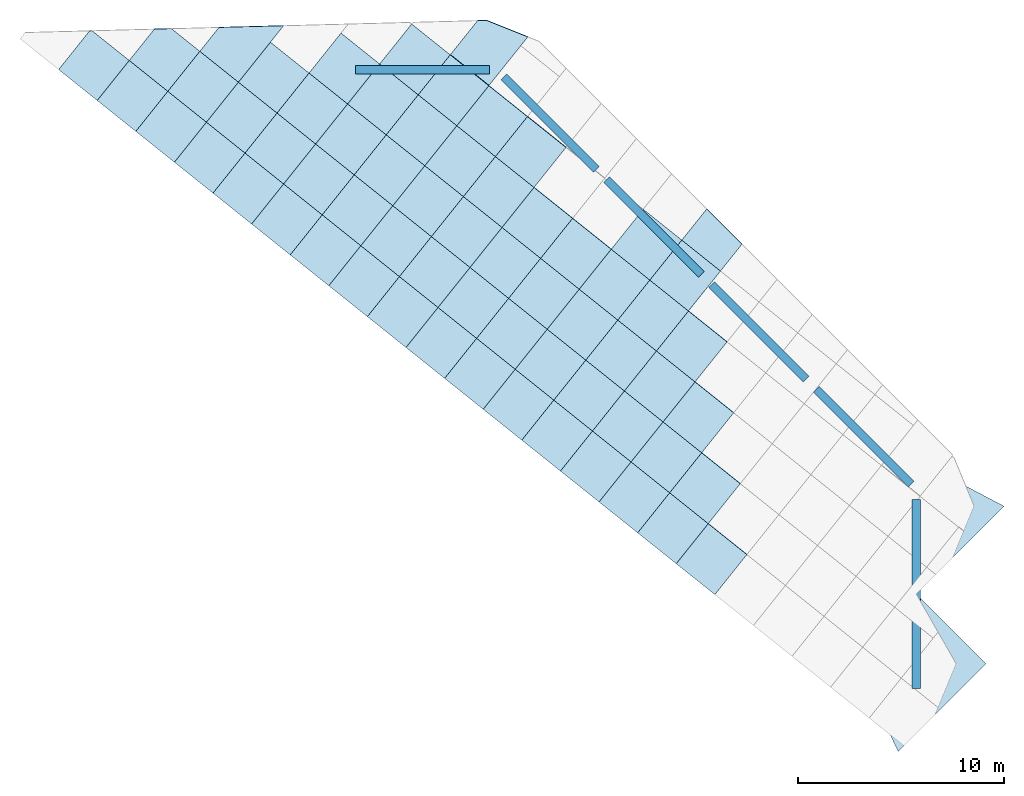
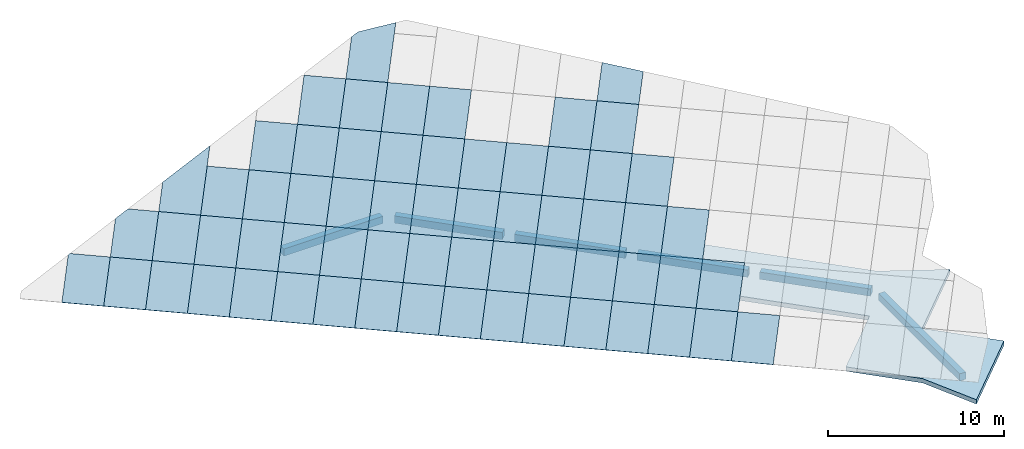
# One storey, part 1 of 2: 63 plates, 6 beams, 1 slab.
"""IFC4 building model written with IfcOpenShell, lengths in metres."""

from ifc_helpers import new_model, si_unit, direction, frame, origin, origin_2d, place, context, subcontext, project, spatial, polyline, rectangle, outline, extrude, material, layer, layer_set, material_profile, profile_set, type_object, element, save


model = new_model("IFC4")

# Units and contexts
model_context = context("Model", 3, precision=1e-05, world=origin(), true_north=direction((0.0, 1.0)))
body_context = subcontext(model_context, "Body", "Model", "MODEL_VIEW")
ifc_project = project(units=[si_unit("LENGTHUNIT", "METRE"), si_unit("AREAUNIT", "SQUARE_METRE"), si_unit("VOLUMEUNIT", "CUBIC_METRE"), si_unit("PLANEANGLEUNIT", "RADIAN"), si_unit("MASSUNIT", "GRAM", prefix="KILO")], contexts=[model_context])

# Site, building, storey
site_placement = place(None, origin())
site = spatial("IfcSite", under=ifc_project, at=site_placement, CompositionType="ELEMENT")
building_placement = place(site_placement, origin())
building = spatial("IfcBuilding", under=site, at=building_placement, Name="Windrow Commons", CompositionType="ELEMENT")
storey_placement = place(building_placement, frame((0.0, 0.0, 313.4)))
storey = spatial("IfcBuildingStorey", under=building, at=storey_placement, Name="Roof", CompositionType="ELEMENT", Elevation=313.4)

# Beams
ifc_material_1 = material(Name="Concrete C40/50", Category="concrete")
ifc_material_profile = material_profile(ifc_material_1, rectangle(XDim=0.4, YDim=0.5, at=origin_2d()))
ifc_profile_set = profile_set([ifc_material_profile], Name="Concrete C40/50")
beam_type = type_object("IfcBeamType", Name="RC ROOF RING BEAM 400x500 C40/50", PredefinedType="BEAM", material=ifc_profile_set)
beam_1_placement = place(storey_placement, frame((72.35, 72.0, -0.55), z_axis=(1.0, 0.0, 0.0), x_axis=(0.0, 1.0, 0.0)))
element("IfcBeam", 1, at=beam_1_placement, inside=storey, type_object=beam_type, Name="Roof ring beam Roof 001", PredefinedType="BEAM", context=body_context, shape_type="SweptSolid", body=[
    extrude(rectangle(XDim=0.4, YDim=0.5, at=origin_2d()), origin(), (0.0, 0.0, 1.0), 6.5),
])
beam_2_placement = place(storey_placement, frame((79.55, 71.65, -0.55), z_axis=(0.7071067812, -0.7071067812, 0.0), x_axis=(0.7071067812, 0.7071067812, 0.0)))
element("IfcBeam", 2, at=beam_2_placement, inside=storey, type_object=beam_type, Name="Roof ring beam Roof 002", PredefinedType="BEAM", context=body_context, shape_type="SweptSolid", body=[
    extrude(rectangle(XDim=0.4, YDim=0.5, at=origin_2d()), origin(), (0.0, 0.0, 1.0), 6.3551),
])
beam_3_placement = place(storey_placement, frame((84.5387, 66.6613, -0.55), z_axis=(0.7071067812, -0.7071067812, 0.0), x_axis=(0.7071067812, 0.7071067812, 0.0)))
element("IfcBeam", 3, at=beam_3_placement, inside=storey, type_object=beam_type, Name="Roof ring beam Roof 003", PredefinedType="BEAM", context=body_context, shape_type="SweptSolid", body=[
    extrude(rectangle(XDim=0.4, YDim=0.5, at=origin_2d()), origin(), (0.0, 0.0, 1.0), 6.4999),
])
for number, where, z_axis, x_axis, name in (
    (4, (89.6298, 61.5702, -0.55), (0.7071067812, -0.7071067812, 0.0), (0.7071067812, 0.7071067812, 0.0), "Roof ring beam Roof 004"),
    (5, (94.721, 56.479, -0.55), (0.7071067812, -0.7071067812, 0.0), (0.7071067812, 0.7071067812, 0.0), "Roof ring beam Roof 005"),
):
    element("IfcBeam", number, at=place(storey_placement, frame(where, z_axis=z_axis, x_axis=x_axis)), inside=storey, type_object=beam_type, Name=name, PredefinedType="BEAM", context=body_context, shape_type="SweptSolid", body=[
        extrude(rectangle(XDim=0.4, YDim=0.5, at=origin_2d()), origin(), (0.0, 0.0, 1.0), 6.5),
    ])
beam_4_placement = place(storey_placement, frame((99.5647, 51.1403, -0.55), z_axis=(0.0, -1.0, 0.0), x_axis=(1.0, 0.0, 0.0)))
element("IfcBeam", 6, at=beam_4_placement, inside=storey, type_object=beam_type, Name="Roof ring beam Roof 006", PredefinedType="BEAM", context=body_context, shape_type="SweptSolid", body=[
    extrude(rectangle(XDim=0.4, YDim=0.5, at=origin_2d()), origin(), (0.0, 0.0, 1.0), 9.1923),
])

# Plates
ifc_material_2 = material(Name="Laminated glass in aluminium frame", Category="aluminium")
ifc_layer_1 = layer(ifc_material_2, 0.04)
ifc_layer_set_1 = layer_set([ifc_layer_1], Name="Crown glazing panel 2400x3000")
plate_type = type_object("IfcPlateType", Name="Crown glazing panel 2400x3000", PredefinedType="SHEET", material=ifc_layer_set_1)
plate_1_placement = place(storey_placement, frame((89.7893, 46.5162, 0.9287), z_axis=(-0.3493199284, -0.4366586479, 0.829038487), x_axis=(-0.7808679222, 0.6246961565, 7.5417e-06)))
element("IfcPlate", 7, at=plate_1_placement, inside=storey, type_object=plate_type, Name="Crown glazing 233", PredefinedType="SHEET", context=body_context, shape_type="SweptSolid", body=[
    extrude(outline(polyline([(0.0, 0.0), (2.4, 0.0), (2.4, -3.0), (0.0001, -3.0001), (0.0, 0.0)])), origin(), (0.0, 0.0, -1.0), 0.04),
])
plate_2_placement = place(storey_placement, frame((87.9152, 48.0155, 0.9287), z_axis=(-0.349330801, -0.4366576763, 0.8290344174), x_axis=(-0.7808647444, 0.6247001288, 0.0)))
element("IfcPlate", 8, at=plate_2_placement, inside=storey, type_object=plate_type, Name="Crown glazing 234", PredefinedType="SHEET", context=body_context, shape_type="SweptSolid", body=[
    extrude(outline(polyline([(0.0, 0.0), (2.4, 0.0), (2.4, -3.0), (0.0, -3.0), (0.0, 0.0)])), origin(), (0.0, 0.0, -1.0), 0.04),
])
plate_3_placement = place(storey_placement, frame((86.0411, 49.5148, 0.9287), z_axis=(-0.3493394993, -0.436656899, 0.8290311615), x_axis=(-0.780851026, 0.6247172762, 6.0337e-06)))
element("IfcPlate", 9, at=plate_3_placement, inside=storey, type_object=plate_type, Name="Crown glazing 235", PredefinedType="SHEET", context=body_context, shape_type="SweptSolid", body=[
    extrude(outline(polyline([(0.0, 0.0), (2.4, 0.0), (2.4001, -3.0), (0.0001, -3.0), (0.0, 0.0)])), origin(), (0.0, 0.0, -1.0), 0.04),
])
plate_4_placement = place(storey_placement, frame((84.1671, 51.0141, 0.9287), z_axis=(-0.3493252917, -0.436668265, 0.8290311616), x_axis=(-0.7808825273, 0.6246778998, -6.0334e-06)))
element("IfcPlate", 10, at=plate_4_placement, inside=storey, type_object=plate_type, Name="Crown glazing 236", PredefinedType="SHEET", context=body_context, shape_type="SweptSolid", body=[
    extrude(outline(polyline([(0.0, 0.0), (2.4, 0.0), (2.3999, -3.0), (0.0, -3.0), (0.0, 0.0)])), origin(), (0.0, 0.0, -1.0), 0.04),
])
for number, where, z_axis, x_axis, name in (
    (11, (82.293, 52.5133, 0.9287), (-0.349330801, -0.4366576763, 0.8290344174), (-0.7808647444, 0.6247001288, 0.0), "Crown glazing 237"),
    (12, (80.4189, 54.0126, 0.9287), (-0.349330801, -0.4366576763, 0.8290344174), (-0.7808647444, 0.6247001288, 0.0), "Crown glazing 238"),
):
    element("IfcPlate", number, at=place(storey_placement, frame(where, z_axis=z_axis, x_axis=x_axis)), inside=storey, type_object=plate_type, Name=name, PredefinedType="SHEET", context=body_context, shape_type="SweptSolid", body=[
        extrude(outline(polyline([(0.0, 0.0), (2.4, 0.0), (2.4, -3.0), (0.0, -3.0), (0.0, 0.0)])), origin(), (0.0, 0.0, -1.0), 0.04),
    ])
plate_5_placement = place(storey_placement, frame((78.5448, 55.5119, 0.9287), z_axis=(-0.3493165936, -0.4366690422, 0.8290344173), x_axis=(-0.7808850696, 0.6246747219, 0.0)))
element("IfcPlate", 13, at=plate_5_placement, inside=storey, type_object=plate_type, Name="Crown glazing 239", PredefinedType="SHEET", context=body_context, shape_type="SweptSolid", body=[
    extrude(outline(polyline([(0.0, 0.0), (2.4, 0.0), (2.3999, -3.0), (-0.0001, -3.0), (0.0, 0.0)])), origin(), (0.0, 0.0, -1.0), 0.04),
])
for number, where, z_axis, x_axis, name in (
    (14, (76.6707, 57.0111, 0.9287), (-0.349330801, -0.4366576763, 0.8290344174), (-0.7808647444, 0.6247001288, 0.0), "Crown glazing 240"),
    (15, (74.7966, 58.5104, 0.9287), (-0.349330801, -0.4366576763, 0.8290344174), (-0.7808647444, 0.6247001288, 0.0), "Crown glazing 241"),
):
    element("IfcPlate", number, at=place(storey_placement, frame(where, z_axis=z_axis, x_axis=x_axis)), inside=storey, type_object=plate_type, Name=name, PredefinedType="SHEET", context=body_context, shape_type="SweptSolid", body=[
        extrude(outline(polyline([(0.0, 0.0), (2.4, 0.0), (2.4, -3.0), (0.0, -3.0), (0.0, 0.0)])), origin(), (0.0, 0.0, -1.0), 0.04),
    ])
plate_6_placement = place(storey_placement, frame((72.9225, 60.0097, 0.9287), z_axis=(-0.3493279596, -0.4366599495, 0.8290344174), x_axis=(-0.7808688094, 0.6246950476, 0.0)))
element("IfcPlate", 16, at=plate_6_placement, inside=storey, type_object=plate_type, Name="Crown glazing 242", PredefinedType="SHEET", context=body_context, shape_type="SweptSolid", body=[
    extrude(outline(polyline([(0.0, 0.0), (2.3999, 0.0), (2.3999, -3.0), (0.0, -3.0), (0.0, 0.0)])), origin(), (0.0, 0.0, -1.0), 0.04),
])
for number, where, z_axis, x_axis, name in (
    (17, (71.0485, 61.5089, 0.9287), (-0.349330801, -0.4366576763, 0.8290344174), (-0.7808647444, 0.6247001288, 0.0), "Crown glazing 243"),
    (18, (69.1744, 63.0082, 0.9287), (-0.349330801, -0.4366576763, 0.8290344174), (-0.7808647444, 0.6247001288, 0.0), "Crown glazing 244"),
):
    element("IfcPlate", number, at=place(storey_placement, frame(where, z_axis=z_axis, x_axis=x_axis)), inside=storey, type_object=plate_type, Name=name, PredefinedType="SHEET", context=body_context, shape_type="SweptSolid", body=[
        extrude(outline(polyline([(0.0, 0.0), (2.4, 0.0), (2.4, -3.0), (0.0, -3.0), (0.0, 0.0)])), origin(), (0.0, 0.0, -1.0), 0.04),
    ])
plate_7_placement = place(storey_placement, frame((67.3003, 64.5075, 0.9287), z_axis=(-0.3493165936, -0.4366690422, 0.8290344173), x_axis=(-0.7808850696, 0.6246747219, 0.0)))
element("IfcPlate", 19, at=plate_7_placement, inside=storey, type_object=plate_type, Name="Crown glazing 245", PredefinedType="SHEET", context=body_context, shape_type="SweptSolid", body=[
    extrude(outline(polyline([(0.0, 0.0), (2.4, 0.0), (2.3999, -3.0), (-0.0001, -3.0), (0.0, 0.0)])), origin(), (0.0, 0.0, -1.0), 0.04),
])
for number, where, z_axis, x_axis, name in (
    (20, (65.4262, 66.0067, 0.9287), (-0.349330801, -0.4366576763, 0.8290344174), (-0.7808647444, 0.6247001288, 0.0), "Crown glazing 246"),
    (21, (63.5521, 67.506, 0.9287), (-0.349330801, -0.4366576763, 0.8290344174), (-0.7808647444, 0.6247001288, 0.0), "Crown glazing 247"),
):
    element("IfcPlate", number, at=place(storey_placement, frame(where, z_axis=z_axis, x_axis=x_axis)), inside=storey, type_object=plate_type, Name=name, PredefinedType="SHEET", context=body_context, shape_type="SweptSolid", body=[
        extrude(outline(polyline([(0.0, 0.0), (2.4, 0.0), (2.4, -3.0), (0.0, -3.0), (0.0, 0.0)])), origin(), (0.0, 0.0, -1.0), 0.04),
    ])
plate_8_placement = place(storey_placement, frame((61.678, 69.0053, 0.9287), z_axis=(-0.3493252917, -0.436668265, 0.8290311616), x_axis=(-0.7808713518, 0.6246918695, 6.0336e-06)))
element("IfcPlate", 22, at=plate_8_placement, inside=storey, type_object=plate_type, Name="Crown glazing 248", PredefinedType="SHEET", context=body_context, shape_type="SweptSolid", body=[
    extrude(outline(polyline([(0.0, 0.0), (2.3999, 0.0), (2.4, -3.0), (0.0, -3.0), (0.0, 0.0)])), origin(), (0.0, 0.0, -1.0), 0.04),
])
plate_9_placement = place(storey_placement, frame((59.4367, 73.8873, 2.5557), z_axis=(-0.3493378918, -0.4366626891, 0.8290287892), x_axis=(0.9165758708, 0.0244597519, 0.3991120064)))
element("IfcPlate", 23, at=plate_9_placement, inside=storey, type_object=plate_type, Name="Crown glazing 249", PredefinedType="SHEET", context=body_context, shape_type="SweptSolid", body=[
    extrude(outline(polyline([(0.0, 0.0), (0.1268, 0.0), (1.7456, -1.6495), (-0.3954, -3.7509), (-2.0765, -2.0379), (0.0, 0.0)])), origin(), (0.0, 0.0, -1.0), 0.04),
])
for number, where, z_axis, x_axis, name in (
    (24, (89.4689, 49.9576, 2.6063), (-0.349330801, -0.4366576763, 0.8290344174), (-0.7808647444, 0.6247001288, 0.0), "Crown glazing 256"),
    (25, (87.5948, 51.4569, 2.6063), (-0.349330801, -0.4366576763, 0.8290344174), (-0.7808647444, 0.6247001288, 0.0), "Crown glazing 257"),
):
    element("IfcPlate", number, at=place(storey_placement, frame(where, z_axis=z_axis, x_axis=x_axis)), inside=storey, type_object=plate_type, Name=name, PredefinedType="SHEET", context=body_context, shape_type="SweptSolid", body=[
        extrude(outline(polyline([(0.0, 0.0), (2.4, 0.0), (2.4, -3.0), (0.0, -3.0), (0.0, 0.0)])), origin(), (0.0, 0.0, -1.0), 0.04),
    ])
plate_10_placement = place(storey_placement, frame((85.7207, 52.9562, 2.6063), z_axis=(-0.3493252917, -0.436668265, 0.8290311616), x_axis=(-0.7808713518, 0.6246918695, 6.0336e-06)))
element("IfcPlate", 26, at=plate_10_placement, inside=storey, type_object=plate_type, Name="Crown glazing 258", PredefinedType="SHEET", context=body_context, shape_type="SweptSolid", body=[
    extrude(outline(polyline([(0.0, 0.0), (2.3999, 0.0), (2.4, -3.0), (0.0, -3.0), (0.0, 0.0)])), origin(), (0.0, 0.0, -1.0), 0.04),
])
plate_11_placement = place(storey_placement, frame((83.8467, 54.4554, 2.6063), z_axis=(-0.3493394993, -0.436656899, 0.8290311615), x_axis=(-0.780862202, 0.6247033067, -6.0335e-06)))
element("IfcPlate", 27, at=plate_11_placement, inside=storey, type_object=plate_type, Name="Crown glazing 259", PredefinedType="SHEET", context=body_context, shape_type="SweptSolid", body=[
    extrude(outline(polyline([(0.0, 0.0), (2.4, 0.0), (2.4, -3.0), (0.0001, -3.0), (0.0, 0.0)])), origin(), (0.0, 0.0, -1.0), 0.04),
])
plate_12_placement = place(storey_placement, frame((81.9726, 55.9547, 2.6063), z_axis=(-0.349330801, -0.4366576763, 0.8290344174), x_axis=(-0.7808647444, 0.6247001288, 0.0)))
element("IfcPlate", 28, at=plate_12_placement, inside=storey, type_object=plate_type, Name="Crown glazing 260", PredefinedType="SHEET", context=body_context, shape_type="SweptSolid", body=[
    extrude(outline(polyline([(0.0, 0.0), (2.4, 0.0), (2.4, -3.0), (0.0, -3.0), (0.0, 0.0)])), origin(), (0.0, 0.0, -1.0), 0.04),
])
plate_13_placement = place(storey_placement, frame((80.0985, 57.454, 2.6063), z_axis=(-0.3493165936, -0.4366690422, 0.8290344173), x_axis=(-0.7808850696, 0.6246747219, 0.0)))
element("IfcPlate", 29, at=plate_13_placement, inside=storey, type_object=plate_type, Name="Crown glazing 261", PredefinedType="SHEET", context=body_context, shape_type="SweptSolid", body=[
    extrude(outline(polyline([(0.0, 0.0), (2.4, 0.0), (2.3999, -3.0), (-0.0001, -3.0), (0.0, 0.0)])), origin(), (0.0, 0.0, -1.0), 0.04),
])
for number, where, z_axis, x_axis, name in (
    (30, (78.2244, 58.9532, 2.6063), (-0.349330801, -0.4366576763, 0.8290344174), (-0.7808647444, 0.6247001288, 0.0), "Crown glazing 262"),
    (31, (76.3503, 60.4525, 2.6063), (-0.349330801, -0.4366576763, 0.8290344174), (-0.7808647444, 0.6247001288, 0.0), "Crown glazing 263"),
):
    element("IfcPlate", number, at=place(storey_placement, frame(where, z_axis=z_axis, x_axis=x_axis)), inside=storey, type_object=plate_type, Name=name, PredefinedType="SHEET", context=body_context, shape_type="SweptSolid", body=[
        extrude(outline(polyline([(0.0, 0.0), (2.4, 0.0), (2.4, -3.0), (0.0, -3.0), (0.0, 0.0)])), origin(), (0.0, 0.0, -1.0), 0.04),
    ])
plate_14_placement = place(storey_placement, frame((74.4762, 61.9518, 2.6063), z_axis=(-0.3493252917, -0.436668265, 0.8290311616), x_axis=(-0.7808713518, 0.6246918695, 6.0336e-06)))
element("IfcPlate", 32, at=plate_14_placement, inside=storey, type_object=plate_type, Name="Crown glazing 264", PredefinedType="SHEET", context=body_context, shape_type="SweptSolid", body=[
    extrude(outline(polyline([(0.0, 0.0), (2.3999, 0.0), (2.4, -3.0), (0.0, -3.0), (0.0, 0.0)])), origin(), (0.0, 0.0, -1.0), 0.04),
])
plate_15_placement = place(storey_placement, frame((72.6022, 63.451, 2.6063), z_axis=(-0.3493394993, -0.436656899, 0.8290311615), x_axis=(-0.780862202, 0.6247033067, -6.0335e-06)))
element("IfcPlate", 33, at=plate_15_placement, inside=storey, type_object=plate_type, Name="Crown glazing 265", PredefinedType="SHEET", context=body_context, shape_type="SweptSolid", body=[
    extrude(outline(polyline([(0.0, 0.0), (2.4, 0.0), (2.4, -3.0), (0.0001, -3.0), (0.0, 0.0)])), origin(), (0.0, 0.0, -1.0), 0.04),
])
plate_16_placement = place(storey_placement, frame((70.7281, 64.9503, 2.6063), z_axis=(-0.349330801, -0.4366576763, 0.8290344174), x_axis=(-0.7808647444, 0.6247001288, 0.0)))
element("IfcPlate", 34, at=plate_16_placement, inside=storey, type_object=plate_type, Name="Crown glazing 266", PredefinedType="SHEET", context=body_context, shape_type="SweptSolid", body=[
    extrude(outline(polyline([(0.0, 0.0), (2.4, 0.0), (2.4, -3.0), (0.0, -3.0), (0.0, 0.0)])), origin(), (0.0, 0.0, -1.0), 0.04),
])
plate_17_placement = place(storey_placement, frame((68.854, 66.4496, 2.6063), z_axis=(-0.3493199284, -0.4366586479, 0.829038487), x_axis=(-0.7808818918, 0.6246786943, -7.5419e-06)))
element("IfcPlate", 35, at=plate_17_placement, inside=storey, type_object=plate_type, Name="Crown glazing 267", PredefinedType="SHEET", context=body_context, shape_type="SweptSolid", body=[
    extrude(outline(polyline([(0.0, 0.0), (2.4, 0.0), (2.4, -3.0001), (-0.0001, -3.0), (0.0, 0.0)])), origin(), (0.0, 0.0, -1.0), 0.04),
])
plate_18_placement = place(storey_placement, frame((66.9799, 67.9488, 2.6063), z_axis=(-0.3493199284, -0.4366586479, 0.829038487), x_axis=(-0.7808679222, 0.6246961565, 7.5417e-06)))
element("IfcPlate", 36, at=plate_18_placement, inside=storey, type_object=plate_type, Name="Crown glazing 268", PredefinedType="SHEET", context=body_context, shape_type="SweptSolid", body=[
    extrude(outline(polyline([(0.0, 0.0), (2.4, 0.0), (2.4, -3.0), (0.0001, -3.0001), (0.0, 0.0)])), origin(), (0.0, 0.0, -1.0), 0.04),
])
plate_19_placement = place(storey_placement, frame((65.1058, 69.4481, 2.6063), z_axis=(-0.349330801, -0.4366576763, 0.8290344174), x_axis=(-0.7808647444, 0.6247001288, 0.0)))
element("IfcPlate", 37, at=plate_19_placement, inside=storey, type_object=plate_type, Name="Crown glazing 269", PredefinedType="SHEET", context=body_context, shape_type="SweptSolid", body=[
    extrude(outline(polyline([(0.0, 0.0), (2.4, 0.0), (2.4, -3.0), (0.0, -3.0), (0.0, 0.0)])), origin(), (0.0, 0.0, -1.0), 0.04),
])
plate_20_placement = place(storey_placement, frame((63.4077, 73.9917, 4.2839), z_axis=(-0.3493216455, -0.4366546859, 0.8290398502), x_axis=(0.780861782, -0.6247038317, -9.5687e-06)))
element("IfcPlate", 38, at=plate_20_placement, inside=storey, type_object=plate_type, Name="Crown glazing 270", PredefinedType="SHEET", context=body_context, shape_type="SweptSolid", body=[
    extrude(outline(polyline([(0.0, 0.0), (1.7643, 0.0), (1.7644, -3.0), (-0.6356, -3.0001), (-0.6356, -0.6472), (0.0, 0.0)])), origin(), (0.0, 0.0, -1.0), 0.04),
])
plate_21_placement = place(storey_placement, frame((89.1485, 53.399, 4.2839), z_axis=(-0.349330801, -0.4366576763, 0.8290344174), x_axis=(-0.7808647444, 0.6247001288, 0.0)))
element("IfcPlate", 39, at=plate_21_placement, inside=storey, type_object=plate_type, Name="Crown glazing 278", PredefinedType="SHEET", context=body_context, shape_type="SweptSolid", body=[
    extrude(outline(polyline([(0.0, 0.0), (2.4, 0.0), (2.4, -3.0), (0.0, -3.0), (0.0, 0.0)])), origin(), (0.0, 0.0, -1.0), 0.04),
])
plate_22_placement = place(storey_placement, frame((87.2744, 54.8983, 4.2839), z_axis=(-0.3493165936, -0.4366690422, 0.8290344173), x_axis=(-0.7808850696, 0.6246747219, 0.0)))
element("IfcPlate", 40, at=plate_22_placement, inside=storey, type_object=plate_type, Name="Crown glazing 279", PredefinedType="SHEET", context=body_context, shape_type="SweptSolid", body=[
    extrude(outline(polyline([(0.0, 0.0), (2.4, 0.0), (2.3999, -3.0), (-0.0001, -3.0), (0.0, 0.0)])), origin(), (0.0, 0.0, -1.0), 0.04),
])
plate_23_placement = place(storey_placement, frame((85.4003, 56.3975, 4.2839), z_axis=(-0.349342167, -0.4366485833, 0.8290344173), x_axis=(-0.7808484834, 0.6247204542, 0.0)))
element("IfcPlate", 41, at=plate_23_placement, inside=storey, type_object=plate_type, Name="Crown glazing 280", PredefinedType="SHEET", context=body_context, shape_type="SweptSolid", body=[
    extrude(outline(polyline([(0.0, 0.0), (2.4, 0.0), (2.4, -3.0), (0.0001, -3.0), (0.0, 0.0)])), origin(), (0.0, 0.0, -1.0), 0.04),
])
plate_24_placement = place(storey_placement, frame((83.5263, 57.8968, 4.2839), z_axis=(-0.349330801, -0.4366576763, 0.8290344174), x_axis=(-0.7808647444, 0.6247001288, 0.0)))
element("IfcPlate", 42, at=plate_24_placement, inside=storey, type_object=plate_type, Name="Crown glazing 281", PredefinedType="SHEET", context=body_context, shape_type="SweptSolid", body=[
    extrude(outline(polyline([(0.0, 0.0), (2.4, 0.0), (2.4, -3.0), (0.0, -3.0), (0.0, 0.0)])), origin(), (0.0, 0.0, -1.0), 0.04),
])
plate_25_placement = place(storey_placement, frame((81.6522, 59.3961, 4.2839), z_axis=(-0.3493199284, -0.4366586479, 0.829038487), x_axis=(-0.7808818918, 0.6246786943, -7.5419e-06)))
element("IfcPlate", 43, at=plate_25_placement, inside=storey, type_object=plate_type, Name="Crown glazing 282", PredefinedType="SHEET", context=body_context, shape_type="SweptSolid", body=[
    extrude(outline(polyline([(0.0, 0.0), (2.4, 0.0), (2.4, -3.0001), (-0.0001, -3.0), (0.0, 0.0)])), origin(), (0.0, 0.0, -1.0), 0.04),
])
plate_26_placement = place(storey_placement, frame((79.7781, 60.8953, 4.2839), z_axis=(-0.3493199284, -0.4366586479, 0.829038487), x_axis=(-0.7808679222, 0.6246961565, 7.5417e-06)))
element("IfcPlate", 44, at=plate_26_placement, inside=storey, type_object=plate_type, Name="Crown glazing 283", PredefinedType="SHEET", context=body_context, shape_type="SweptSolid", body=[
    extrude(outline(polyline([(0.0, 0.0), (2.4, 0.0), (2.4, -3.0), (0.0001, -3.0001), (0.0, 0.0)])), origin(), (0.0, 0.0, -1.0), 0.04),
])
plate_27_placement = place(storey_placement, frame((77.904, 62.3946, 4.2839), z_axis=(-0.349330801, -0.4366576763, 0.8290344174), x_axis=(-0.7808647444, 0.6247001288, 0.0)))
element("IfcPlate", 45, at=plate_27_placement, inside=storey, type_object=plate_type, Name="Crown glazing 284", PredefinedType="SHEET", context=body_context, shape_type="SweptSolid", body=[
    extrude(outline(polyline([(0.0, 0.0), (2.4, 0.0), (2.4, -3.0), (0.0, -3.0), (0.0, 0.0)])), origin(), (0.0, 0.0, -1.0), 0.04),
])
plate_28_placement = place(storey_placement, frame((76.0299, 63.8939, 4.2839), z_axis=(-0.3493199284, -0.4366586479, 0.829038487), x_axis=(-0.7808818918, 0.6246786943, -7.5419e-06)))
element("IfcPlate", 46, at=plate_28_placement, inside=storey, type_object=plate_type, Name="Crown glazing 285", PredefinedType="SHEET", context=body_context, shape_type="SweptSolid", body=[
    extrude(outline(polyline([(0.0, 0.0), (2.4, 0.0), (2.4, -3.0001), (-0.0001, -3.0), (0.0, 0.0)])), origin(), (0.0, 0.0, -1.0), 0.04),
])
plate_29_placement = place(storey_placement, frame((74.1558, 65.3931, 4.2839), z_axis=(-0.3493286265, -0.4366578706, 0.8290352313), x_axis=(-0.7808542038, 0.624713304, 1.35755e-05)))
element("IfcPlate", 47, at=plate_29_placement, inside=storey, type_object=plate_type, Name="Crown glazing 286", PredefinedType="SHEET", context=body_context, shape_type="SweptSolid", body=[
    extrude(outline(polyline([(0.0, 0.0), (2.4, 0.0), (2.4001, -3.0), (0.0001, -3.0001), (0.0, 0.0)])), origin(), (0.0, 0.0, -1.0), 0.04),
])
plate_30_placement = place(storey_placement, frame((72.2818, 66.8924, 4.2839), z_axis=(-0.3493394993, -0.436656899, 0.8290311615), x_axis=(-0.780862202, 0.6247033067, -6.0335e-06)))
element("IfcPlate", 48, at=plate_30_placement, inside=storey, type_object=plate_type, Name="Crown glazing 287", PredefinedType="SHEET", context=body_context, shape_type="SweptSolid", body=[
    extrude(outline(polyline([(0.0, 0.0), (2.4, 0.0), (2.4, -3.0), (0.0001, -3.0), (0.0, 0.0)])), origin(), (0.0, 0.0, -1.0), 0.04),
])
plate_31_placement = place(storey_placement, frame((70.4077, 68.3917, 4.2839), z_axis=(-0.349330801, -0.4366576763, 0.8290344174), x_axis=(-0.7808647444, 0.6247001288, 0.0)))
element("IfcPlate", 49, at=plate_31_placement, inside=storey, type_object=plate_type, Name="Crown glazing 288", PredefinedType="SHEET", context=body_context, shape_type="SweptSolid", body=[
    extrude(outline(polyline([(0.0, 0.0), (2.4, 0.0), (2.4, -3.0), (0.0, -3.0), (0.0, 0.0)])), origin(), (0.0, 0.0, -1.0), 0.04),
])
plate_32_placement = place(storey_placement, frame((68.5336, 69.891, 4.2839), z_axis=(-0.3493165936, -0.4366690422, 0.8290344173), x_axis=(-0.7808850696, 0.6246747219, 0.0)))
element("IfcPlate", 50, at=plate_32_placement, inside=storey, type_object=plate_type, Name="Crown glazing 289", PredefinedType="SHEET", context=body_context, shape_type="SweptSolid", body=[
    extrude(outline(polyline([(0.0, 0.0), (2.4, 0.0), (2.3999, -3.0), (-0.0001, -3.0), (0.0, 0.0)])), origin(), (0.0, 0.0, -1.0), 0.04),
])
plate_33_placement = place(storey_placement, frame((88.8281, 56.8404, 5.9615), z_axis=(-0.3493199284, -0.4366586479, 0.829038487), x_axis=(-0.7808818918, 0.6246786943, -7.5419e-06)))
element("IfcPlate", 51, at=plate_33_placement, inside=storey, type_object=plate_type, Name="Crown glazing 298", PredefinedType="SHEET", context=body_context, shape_type="SweptSolid", body=[
    extrude(outline(polyline([(0.0, 0.0), (2.4, 0.0), (2.4, -3.0001), (-0.0001, -3.0), (0.0, 0.0)])), origin(), (0.0, 0.0, -1.0), 0.04),
])
plate_34_placement = place(storey_placement, frame((86.954, 58.3396, 5.9615), z_axis=(-0.3493286265, -0.4366578706, 0.8290352313), x_axis=(-0.7808542038, 0.624713304, 1.35755e-05)))
element("IfcPlate", 52, at=plate_34_placement, inside=storey, type_object=plate_type, Name="Crown glazing 299", PredefinedType="SHEET", context=body_context, shape_type="SweptSolid", body=[
    extrude(outline(polyline([(0.0, 0.0), (2.4, 0.0), (2.4001, -3.0), (0.0001, -3.0001), (0.0, 0.0)])), origin(), (0.0, 0.0, -1.0), 0.04),
])
plate_35_placement = place(storey_placement, frame((85.08, 59.8389, 5.9615), z_axis=(-0.3493394993, -0.436656899, 0.8290311615), x_axis=(-0.780862202, 0.6247033067, -6.0335e-06)))
element("IfcPlate", 53, at=plate_35_placement, inside=storey, type_object=plate_type, Name="Crown glazing 300", PredefinedType="SHEET", context=body_context, shape_type="SweptSolid", body=[
    extrude(outline(polyline([(0.0, 0.0), (2.4, 0.0), (2.4, -3.0), (0.0001, -3.0), (0.0, 0.0)])), origin(), (0.0, 0.0, -1.0), 0.04),
])
plate_36_placement = place(storey_placement, frame((83.2059, 61.3382, 5.9615), z_axis=(-0.349330801, -0.4366576763, 0.8290344174), x_axis=(-0.7808647444, 0.6247001288, 0.0)))
element("IfcPlate", 54, at=plate_36_placement, inside=storey, type_object=plate_type, Name="Crown glazing 301", PredefinedType="SHEET", context=body_context, shape_type="SweptSolid", body=[
    extrude(outline(polyline([(0.0, 0.0), (2.4, 0.0), (2.4, -3.0), (0.0, -3.0), (0.0, 0.0)])), origin(), (0.0, 0.0, -1.0), 0.04),
])
plate_37_placement = place(storey_placement, frame((81.3318, 62.8375, 5.9615), z_axis=(-0.3493165936, -0.4366690422, 0.8290344173), x_axis=(-0.7808850696, 0.6246747219, 0.0)))
element("IfcPlate", 55, at=plate_37_placement, inside=storey, type_object=plate_type, Name="Crown glazing 302", PredefinedType="SHEET", context=body_context, shape_type="SweptSolid", body=[
    extrude(outline(polyline([(0.0, 0.0), (2.4, 0.0), (2.3999, -3.0), (-0.0001, -3.0), (0.0, 0.0)])), origin(), (0.0, 0.0, -1.0), 0.04),
])
for number, where, z_axis, x_axis, name in (
    (56, (79.4577, 64.3367, 5.9615), (-0.349330801, -0.4366576763, 0.8290344174), (-0.7808647444, 0.6247001288, 0.0), "Crown glazing 303"),
    (57, (77.5836, 65.836, 5.9615), (-0.349330801, -0.4366576763, 0.8290344174), (-0.7808647444, 0.6247001288, 0.0), "Crown glazing 304"),
):
    element("IfcPlate", number, at=place(storey_placement, frame(where, z_axis=z_axis, x_axis=x_axis)), inside=storey, type_object=plate_type, Name=name, PredefinedType="SHEET", context=body_context, shape_type="SweptSolid", body=[
        extrude(outline(polyline([(0.0, 0.0), (2.4, 0.0), (2.4, -3.0), (0.0, -3.0), (0.0, 0.0)])), origin(), (0.0, 0.0, -1.0), 0.04),
    ])
plate_38_placement = place(storey_placement, frame((75.7095, 67.3353, 5.9615), z_axis=(-0.3493165936, -0.4366690422, 0.8290344173), x_axis=(-0.7808850696, 0.6246747219, 0.0)))
element("IfcPlate", 58, at=plate_38_placement, inside=storey, type_object=plate_type, Name="Crown glazing 305", PredefinedType="SHEET", context=body_context, shape_type="SweptSolid", body=[
    extrude(outline(polyline([(0.0, 0.0), (2.4, 0.0), (2.3999, -3.0), (-0.0001, -3.0), (0.0, 0.0)])), origin(), (0.0, 0.0, -1.0), 0.04),
])
plate_39_placement = place(storey_placement, frame((73.8354, 68.8345, 5.9615), z_axis=(-0.3493394993, -0.436656899, 0.8290311615), x_axis=(-0.780851026, 0.6247172762, 6.0337e-06)))
element("IfcPlate", 59, at=plate_39_placement, inside=storey, type_object=plate_type, Name="Crown glazing 306", PredefinedType="SHEET", context=body_context, shape_type="SweptSolid", body=[
    extrude(outline(polyline([(0.0, 0.0), (2.4, 0.0), (2.4001, -3.0), (0.0001, -3.0), (0.0, 0.0)])), origin(), (0.0, 0.0, -1.0), 0.04),
])
plate_40_placement = place(storey_placement, frame((71.9614, 70.3338, 5.9615), z_axis=(-0.3493394993, -0.436656899, 0.8290311615), x_axis=(-0.780862202, 0.6247033067, -6.0335e-06)))
element("IfcPlate", 60, at=plate_40_placement, inside=storey, type_object=plate_type, Name="Crown glazing 307", PredefinedType="SHEET", context=body_context, shape_type="SweptSolid", body=[
    extrude(outline(polyline([(0.0, 0.0), (2.4, 0.0), (2.4, -3.0), (0.0001, -3.0), (0.0, 0.0)])), origin(), (0.0, 0.0, -1.0), 0.04),
])
plate_41_placement = place(storey_placement, frame((88.5077, 60.2818, 7.6391), z_axis=(-0.349302282, -0.4366511518, 0.8290498703), x_axis=(-0.7808850696, 0.6246747219, 0.0)))
element("IfcPlate", 61, at=plate_41_placement, inside=storey, type_object=plate_type, Name="Crown glazing 313", PredefinedType="SHEET", context=body_context, shape_type="SweptSolid", body=[
    extrude(outline(polyline([(0.0, 0.0), (2.4, 0.0), (2.3999, -3.0), (-0.0001, -3.0), (0.0, 0.0)])), origin(), (0.0, 0.0, -1.0), 0.04),
])
plate_42_placement = place(storey_placement, frame((86.6336, 61.781, 7.6391), z_axis=(-0.3493251869, -0.4366390092, 0.8290466148), x_axis=(-0.7808510258, 0.6247172765, 6.0336e-06)))
element("IfcPlate", 62, at=plate_42_placement, inside=storey, type_object=plate_type, Name="Crown glazing 314", PredefinedType="SHEET", context=body_context, shape_type="SweptSolid", body=[
    extrude(outline(polyline([(0.0, 0.0), (2.4, 0.0), (2.4001, -2.9999), (0.0001, -3.0), (0.0, 0.0)])), origin(), (0.0, 0.0, -1.0), 0.04),
])
for number, where, z_axis, x_axis, name in (
    (63, (81.0114, 66.2788, 7.6391), (-0.3493164888, -0.4366397863, 0.8290498704), (-0.7808647444, 0.6247001288, 0.0), "Crown glazing 317"),
    (64, (79.1373, 67.7781, 7.6391), (-0.3493164888, -0.4366397863, 0.8290498704), (-0.7808647444, 0.6247001288, 0.0), "Crown glazing 318"),
):
    element("IfcPlate", number, at=place(storey_placement, frame(where, z_axis=z_axis, x_axis=x_axis)), inside=storey, type_object=plate_type, Name=name, PredefinedType="SHEET", context=body_context, shape_type="SweptSolid", body=[
        extrude(outline(polyline([(0.0, 0.0), (2.4, 0.0), (2.4, -3.0), (0.0, -3.0), (0.0, 0.0)])), origin(), (0.0, 0.0, -1.0), 0.04),
    ])
plate_43_placement = place(storey_placement, frame((77.2632, 69.2774, 7.6391), z_axis=(-0.349302282, -0.4366511518, 0.8290498703), x_axis=(-0.7808850696, 0.6246747219, 0.0)))
element("IfcPlate", 65, at=plate_43_placement, inside=storey, type_object=plate_type, Name="Crown glazing 319", PredefinedType="SHEET", context=body_context, shape_type="SweptSolid", body=[
    extrude(outline(polyline([(0.0, 0.0), (2.4, 0.0), (2.3999, -3.0), (-0.0001, -3.0), (0.0, 0.0)])), origin(), (0.0, 0.0, -1.0), 0.04),
])
plate_44_placement = place(storey_placement, frame((75.3891, 70.7766, 7.6391), z_axis=(-0.3493164888, -0.4366397863, 0.8290498704), x_axis=(-0.7808647444, 0.6247001288, 0.0)))
element("IfcPlate", 66, at=plate_44_placement, inside=storey, type_object=plate_type, Name="Crown glazing 320", PredefinedType="SHEET", context=body_context, shape_type="SweptSolid", body=[
    extrude(outline(polyline([(0.0, 0.0), (2.4, 0.0), (2.4, -3.0), (0.0, -3.0), (0.0, 0.0)])), origin(), (0.0, 0.0, -1.0), 0.04),
])
plate_45_placement = place(storey_placement, frame((91.1064, 63.5301, 10.445), z_axis=(-0.3493351323, -0.4366853921, 0.8290179936), x_axis=(-0.5178955225, -0.6473446236, -0.5592219291)))
element("IfcPlate", 67, at=plate_45_placement, inside=storey, type_object=plate_type, Name="Crown glazing 327", PredefinedType="SHEET", context=body_context, shape_type="SweptSolid", body=[
    extrude(outline(polyline([(0.0, 0.0), (2.0178, 0.0), (2.0179, -2.4), (-0.3216, -2.4), (0.0, 0.0)])), origin(), (0.0, 0.0, -1.0), 0.04),
])
plate_46_placement = place(storey_placement, frame((66.6595, 71.3902, 4.2839), z_axis=(-0.349325234, -0.4366683884, 0.8290311209), x_axis=(-0.7808686007, 0.6246953085, 9.1516e-06)))
element("IfcPlate", 68, at=plate_46_placement, inside=storey, type_object=plate_type, Name="Crown glazing 354", PredefinedType="SHEET", context=body_context, shape_type="SweptSolid", body=[
    extrude(outline(polyline([(0.0, 0.0), (2.4, 0.0), (2.4, -1.7963), (0.0, -4.2396), (0.0, 0.0)])), origin(), (0.0, 0.0, -1.0), 0.04),
])
plate_47_placement = place(storey_placement, frame((78.8169, 71.2195, 9.3166), z_axis=(-0.3493320374, -0.436659373, 0.8290330028), x_axis=(-0.7808787468, 0.6246826255, -1.50054e-05)))
element("IfcPlate", 69, at=plate_47_placement, inside=storey, type_object=plate_type, Name="Crown glazing 360", PredefinedType="SHEET", context=body_context, shape_type="SweptSolid", body=[
    extrude(outline(polyline([(0.0, 0.0), (2.4, 0.0), (2.3999, -2.5698), (2.0738, -2.9017), (-0.0001, -3.6623), (0.0, 0.0)])), origin(), (0.0, 0.0, -1.0), 0.04),
])

# Slab
ifc_material_3 = material(Name="Concrete C40/50", Category="concrete")
ifc_layer_2 = layer(ifc_material_3, 0.3)
ifc_layer_set_2 = layer_set([ifc_layer_2], Name="ROOF SLAB 300 C40/50")
slab_type = type_object("IfcSlabType", Name="ROOF SLAB 300 C40/50", PredefinedType="ROOF", material=ifc_layer_set_2)
slab_placement = place(storey_placement, frame((0.0, 0.0, -0.3)))
element("IfcSlab", 70, at=slab_placement, inside=storey, type_object=slab_type, Name="S-Roof", PredefinedType="ROOF", context=body_context, shape_type="SweptSolid", body=[
    extrude(outline(polyline([(98.695, 38.8862), (102.9588, 43.15), (99.5647, 46.5442), (103.8285, 50.808), (100.1598, 52.7373), (94.5618, 58.3353), (88.9638, 63.9333), (83.3658, 69.5313), (81.4366, 73.2), (69.567, 73.2), (69.567, 65.2), (72.4, 65.2), (72.4, 63.6), (73.9811, 63.6), (77.3222, 61.9984), (82.265, 57.0556), (83.1598, 56.1608), (86.8368, 59.8378), (97.5848, 49.0897), (93.9078, 45.4128), (97.0933, 42.2273), (98.695, 38.8862)])), origin(), (0.0, 0.0, 1.0), 0.3),
])

save(model, "model.ifc")
